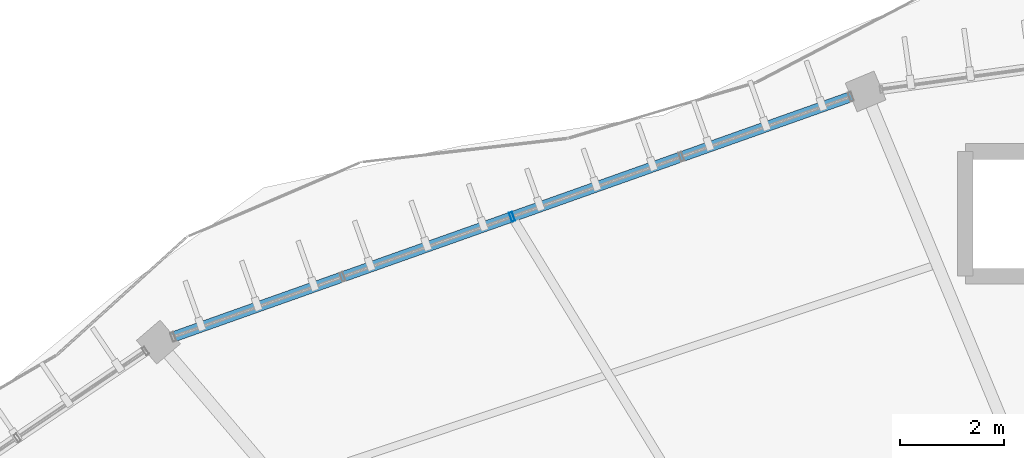
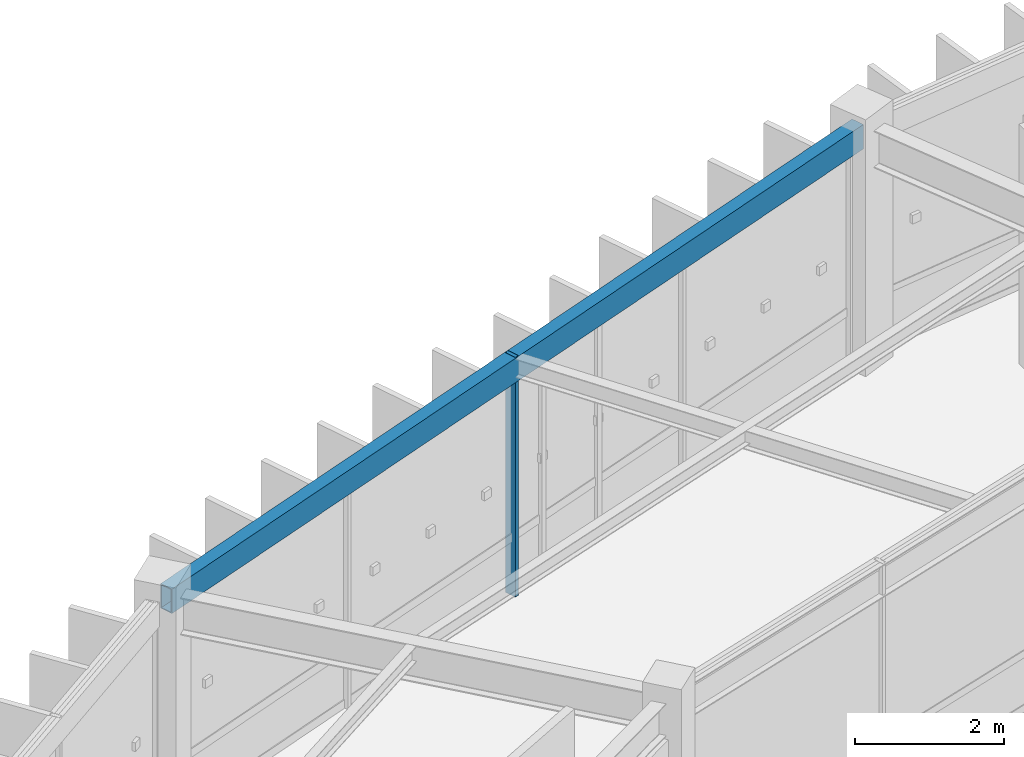
# One storey, part 25 of 83: 1 beam, 1 member, 1 element without a shape of its own.
"""IFC4 building model written with IfcOpenShell, lengths in metres."""

from ifc_helpers import new_model, si_unit, direction, frame, origin, origin_2d, place, context, subcontext, project, spatial, hollow_rectangle, extrude, material, material_profile, profile_set, type_object, element, aggregate, save


model = new_model("IFC4")

# Units and contexts
model_context = context("Model", 3, precision=1e-05, world=origin(), true_north=direction((0.0, 1.0)))
body_context = subcontext(model_context, "Body", "Model", "MODEL_VIEW")
ifc_project = project(units=[si_unit("LENGTHUNIT", "METRE"), si_unit("AREAUNIT", "SQUARE_METRE"), si_unit("VOLUMEUNIT", "CUBIC_METRE"), si_unit("PLANEANGLEUNIT", "RADIAN"), si_unit("MASSUNIT", "GRAM", prefix="KILO"), si_unit("THERMODYNAMICTEMPERATUREUNIT", "KELVIN"), si_unit("POWERUNIT", "WATT")], contexts=[model_context])

# Site, building, storey
site_placement = place(None, origin())
site = spatial("IfcSite", under=ifc_project, at=site_placement, CompositionType="ELEMENT")
building_placement = place(site_placement, origin())
building = spatial("IfcBuilding", under=site, at=building_placement, Name="Darbajah Civic Hall", CompositionType="ELEMENT")
storey_placement = place(building_placement, frame((0.0, 0.0, 18.0)))
storey = spatial("IfcBuildingStorey", under=building, at=storey_placement, Name="L04", CompositionType="ELEMENT", Elevation=18.0)

# Curtain wall, member
ifc_material_1 = material(Name="Anodised Bronze Aluminium and Low-E Glazing", Category="aluminium")
curtain_wall_type = type_object("IfcCurtainWallType", Name="Unitised Curtain Wall CW-57 13800x3900", PredefinedType="USERDEFINED", material=ifc_material_1)
curtain_wall_placement = place(storey_placement, origin())
curtain_wall = element("IfcCurtainWall", 1, at=curtain_wall_placement, inside=storey, type_object=curtain_wall_type, Name="L04 unitised curtain wall CW-V1O-L04-06", ObjectType="UNITISED CURTAIN WALL", PredefinedType="USERDEFINED")
ifc_material_2 = material(Name="Anodised Bronze Aluminium", Category="aluminium")
ifc_material_profile_1 = material_profile(ifc_material_2, hollow_rectangle(XDim=0.06494140625, YDim=0.179931640625, WallThickness=0.00390625, at=origin_2d()), Name="ALU MULLION 65x180")
ifc_profile_set_1 = profile_set([ifc_material_profile_1], Name="Anodised Bronze Aluminium")
member_type = type_object("IfcMemberType", Name="ALU MULLION 65x180", PredefinedType="MULLION", material=ifc_profile_set_1)
member_placement = place(storey_placement, frame((62.780517578125, 114.643310546875, 0.0), z_axis=(0.0, 0.0, 1.0), x_axis=(-0.94252491309, -0.334135882844, 0.0)))
member = element("IfcMember", 2, at=member_placement, type_object=member_type, Name="CW-V1O-L04-06 mullion 3", PredefinedType="MULLION", context=body_context, shape_type="SweptSolid", body=[
    extrude(hollow_rectangle(XDim=0.06494140625, YDim=0.179931640625, WallThickness=0.00390625, at=origin_2d()), origin(), (0.0, 0.0, 1.0), 3.919921875),
])
aggregate(curtain_wall, [member])

# Beam
ifc_material_3 = material(Name="Steel S355JR", Category="steel")
ifc_material_profile_2 = material_profile(ifc_material_3, hollow_rectangle(XDim=0.199951171875, YDim=0.39990234375, WallThickness=0.013916015625, at=origin_2d()), Name="RHS 400x200x14")
ifc_profile_set_2 = profile_set([ifc_material_profile_2], Name="Steel S355JR")
beam_type = type_object("IfcBeamType", Name="RHS 400x200x14", PredefinedType="SPANDREL", material=ifc_profile_set_2)
beam_placement = place(storey_placement, frame((69.5078125, 117.027587890625, 3.719970703125), z_axis=(-0.942545228917, -0.334078570768, 0.0), x_axis=(0.334078570768, -0.942545228917, 0.0)))
element("IfcBeam", 3, at=beam_placement, inside=storey, type_object=beam_type, Name="L04 beam SP-RHS400", PredefinedType="SPANDREL", context=body_context, shape_type="SweptSolid", body=[
    extrude(hollow_rectangle(XDim=0.199951171875, YDim=0.39990234375, WallThickness=0.013916015625, at=origin_2d()), origin(), (0.0, 0.0, 1.0), 14.2744140625),
])

save(model, "model.ifc")
